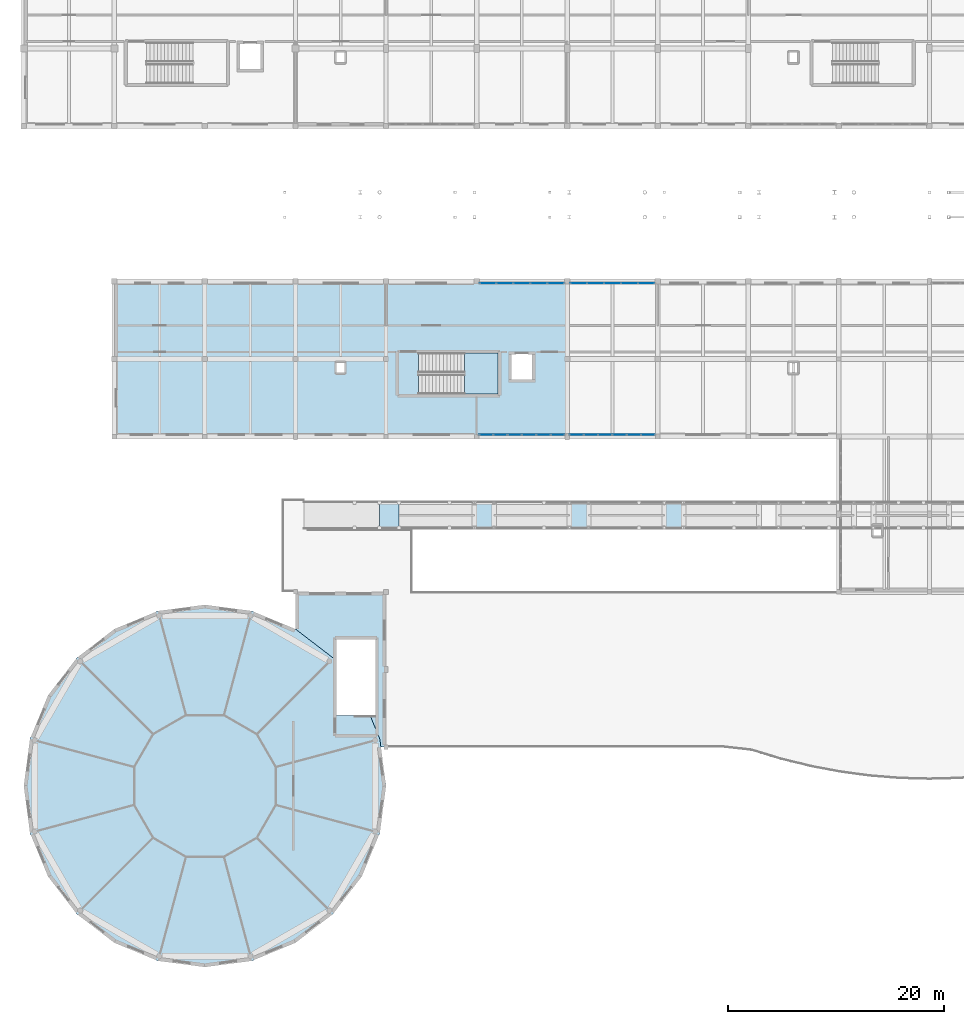
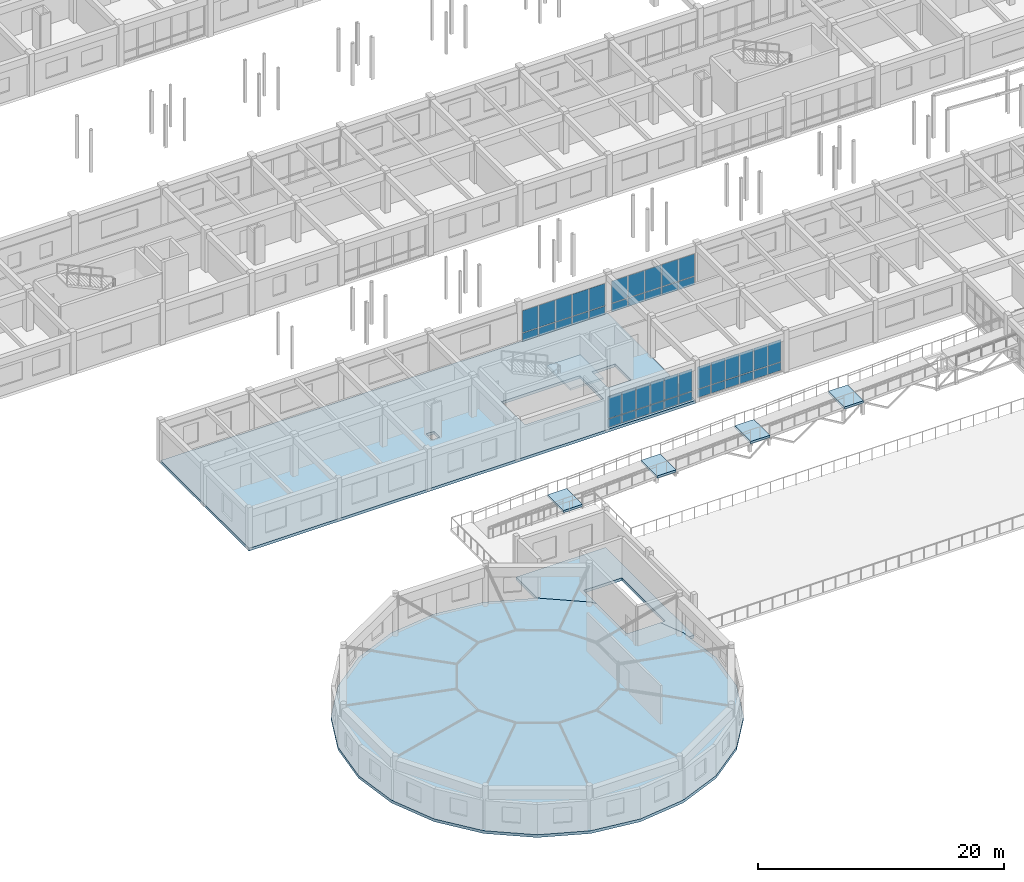
# One storey, part 56 of 90: 44 plates, 8 slabs, 6 elements without a shape of their own.
"""IFC4 building model written with IfcOpenShell, lengths in metres."""

import ifcopenshell
import ifcopenshell.guid

model = None  # the IFC model being written
_history = None  # IfcOwnerHistory: only IFC2X3 demands one
_inside = {}  # id of a spatial element -> (the spatial element, [elements in it])
_under = {}  # id of a project, library or spatial element -> (it, [spatial elements below it])
_declared = {}  # id of a project -> (the project, [libraries it declares])
_typed = {}  # id of a type object -> (the type object, [elements of that type])
_made_of = {}  # id of a material, layer set ... -> (it, [elements and type objects made of it])


def new_model(schema):
    """Start an empty IFC model of exactly this schema.

    Asked for "IFC4X3", IfcOpenShell would pick the latest addendum, in which some entities
    have other attributes; the version numbers below select the first issue.
    IFC2X3 requires an IfcOwnerHistory on every rooted entity: one is made here for all.
    """
    global model, _history
    if schema == "IFC4X3":
        model = ifcopenshell.file(schema_version=(4, 3, 0, 0))
    else:
        model = ifcopenshell.file(schema=schema)
    _inside.clear()
    _under.clear()
    _declared.clear()
    _typed.clear()
    _made_of.clear()
    _history = None
    if model.schema == "IFC2X3":
        org = make("IfcOrganization", Name="unknown")
        user = make(
            "IfcPersonAndOrganization",
            ThePerson=make("IfcPerson", FamilyName="unknown"),
            TheOrganization=org,
        )
        app = make(
            "IfcApplication",
            ApplicationDeveloper=org,
            Version="unknown",
            ApplicationFullName="unknown",
            ApplicationIdentifier="unknown",
        )
        _history = make(
            "IfcOwnerHistory",
            OwningUser=user,
            OwningApplication=app,
            ChangeAction="ADDED",
            CreationDate=0,
        )
    return model


def make(cls, **values):
    """One entity of the class cls with the attributes given. An attribute that is None is left unset."""
    return model.create_entity(
        cls, **{name: value for name, value in values.items() if value is not None}
    )


def rooted(cls, **values):
    """An entity with a GlobalId (a new one), such as an element, a storey or a relation."""
    return make(cls, GlobalId=ifcopenshell.guid.new(), OwnerHistory=_history, **values)


def si_unit(unit_type, name, prefix=None):
    """IfcSIUnit, for example si_unit("LENGTHUNIT", "METRE", prefix="MILLI")."""
    return make("IfcSIUnit", UnitType=unit_type, Prefix=prefix, Name=name)


def assignment(units):
    """IfcUnitAssignment: the units of a project."""
    return None if units is None else make("IfcUnitAssignment", Units=units)


def point(xyz):
    """IfcCartesianPoint."""
    return None if xyz is None else make("IfcCartesianPoint", Coordinates=xyz)


def direction(xyz):
    """IfcDirection."""
    return None if xyz is None else make("IfcDirection", DirectionRatios=xyz)


def frame(location, z_axis=None, x_axis=None):
    """IfcAxis2Placement3D, a coordinate frame: its origin and axes. An axis left out is left unset."""
    return make(
        "IfcAxis2Placement3D",
        Location=point(location),
        Axis=direction(z_axis),
        RefDirection=direction(x_axis),
    )


def frame_2d(location, x_axis=None):
    """IfcAxis2Placement2D, a coordinate frame in the plane: its origin and x axis."""
    return make(
        "IfcAxis2Placement2D", Location=point(location), RefDirection=direction(x_axis)
    )


def origin():
    """The frame at (0, 0, 0) with its axes left unset."""
    return frame((0.0, 0.0, 0.0))


def origin_2d():
    """The frame at (0, 0) in the plane with its x axis left unset."""
    return frame_2d((0.0, 0.0))


def place(relative_to, where):
    """IfcLocalPlacement: puts the frame where relative to a parent placement (None: the world)."""
    return make(
        "IfcLocalPlacement", PlacementRelTo=relative_to, RelativePlacement=where
    )


def context(
    kind, dimensions, precision=None, world=None, true_north=None, identifier=None
):
    """IfcGeometricRepresentationContext, for example the 3D "Model" context."""
    return make(
        "IfcGeometricRepresentationContext",
        ContextIdentifier=identifier,
        ContextType=kind,
        CoordinateSpaceDimension=dimensions,
        Precision=precision,
        WorldCoordinateSystem=world,
        TrueNorth=true_north,
    )


def subcontext(parent, identifier, kind, view, scale=None):
    """IfcGeometricRepresentationSubContext, for example "Body" below "Model"."""
    return make(
        "IfcGeometricRepresentationSubContext",
        ContextIdentifier=identifier,
        ContextType=kind,
        ParentContext=parent,
        TargetScale=scale,
        TargetView=view,
    )


def project(units=None, contexts=None):
    """IfcProject with its units and contexts."""
    return rooted(
        "IfcProject",
        Name="project",
        RepresentationContexts=contexts,
        UnitsInContext=assignment(units),
    )


def spatial(cls, under=None, at=None, **own):
    """A site, building, storey or space (cls), placed at a placement, below another one or the project."""
    s = rooted(cls, ObjectPlacement=at, **own)
    if under is not None:
        _under.setdefault(under.id(), (under, []))[1].append(s)
    return s


def polyline(points):
    """IfcPolyline through the points."""
    return make("IfcPolyline", Points=[point(p) for p in points])


def profile(cls, at=None, kind="AREA", **sizes):
    """A parametric profile (cls). Its sizes go by their IFC names, for example OverallWidth=200.0."""
    return make(cls, ProfileType=kind, Position=at, **sizes)


def rectangle(**sizes):
    """IfcRectangleProfileDef."""
    return profile("IfcRectangleProfileDef", **sizes)


def outline(outer, holes=None, kind="AREA"):
    """IfcArbitraryClosedProfileDef: a profile drawn as a closed curve; with holes, ...WithVoids."""
    if holes is None:
        return make("IfcArbitraryClosedProfileDef", ProfileType=kind, OuterCurve=outer)
    return make(
        "IfcArbitraryProfileDefWithVoids",
        ProfileType=kind,
        OuterCurve=outer,
        InnerCurves=holes,
    )


def extrude(swept, where, along, depth):
    """IfcExtrudedAreaSolid: the profile swept, set in the frame where, extruded along a direction by depth."""
    return make(
        "IfcExtrudedAreaSolid",
        SweptArea=swept,
        Position=where,
        ExtrudedDirection=direction(along),
        Depth=depth,
    )


def shape(context_of_items, identifier, shape_type, items):
    """IfcShapeRepresentation: the items that make up one representation, for example the "Body"."""
    return make(
        "IfcShapeRepresentation",
        ContextOfItems=context_of_items,
        RepresentationIdentifier=identifier,
        RepresentationType=shape_type,
        Items=items,
    )


def material(Name=None, Category=None):
    """IfcMaterial."""
    return make("IfcMaterial", Name=Name, Category=Category)


def layer(
    of_material, thickness, ventilated=None, Name=None, Category=None, Priority=None
):
    """IfcMaterialLayer: one layer of a wall or slab, of a material (None: an air gap)."""
    return make(
        "IfcMaterialLayer",
        Material=of_material,
        LayerThickness=thickness,
        IsVentilated=ventilated,
        Name=Name,
        Category=Category,
        Priority=Priority,
    )


def layer_set(layers, Name=None):
    """IfcMaterialLayerSet."""
    return make("IfcMaterialLayerSet", MaterialLayers=layers, LayerSetName=Name)


def made_of(thing, what):
    """Note that an element or type object is made of a material, layer set ...; save() writes the relation."""
    if what is not None:
        _made_of.setdefault(what.id(), (what, []))[1].append(thing)
    return thing


def type_object(cls, material=None, **own):
    """A type object (cls), such as IfcWallType, which elements share."""
    return made_of(rooted(cls, **own), material)


def element(
    cls,
    number,
    at=None,
    inside=None,
    cuts=None,
    type_object=None,
    material=None,
    context=None,
    identifier="Body",
    shape_type=None,
    held_by="IfcProductDefinitionShape",
    body=None,
    shapes=None,
    **own,
):
    """One element of the class cls, such as IfcWall. Its Tag is "e" and its number.

    at: its placement. inside: the storey or other place that contains it. cuts: it is an
    opening in that element (IfcRelVoidsElement). A single representation is given by context,
    identifier, shape_type and body (its items); several are given by shapes. held_by: the class
    of the entity that holds the representations. save() writes the other relations.
    """
    e = rooted(cls, Tag="e%d" % number, ObjectPlacement=at, **own)
    if body is not None:
        shapes = [shape(context, identifier, shape_type, body)]
    if shapes is not None:
        e.Representation = make(held_by, Representations=shapes)
    if inside is not None:
        _inside.setdefault(inside.id(), (inside, []))[1].append(e)
    if cuts is not None:
        rooted(
            "IfcRelVoidsElement", RelatingBuildingElement=cuts, RelatedOpeningElement=e
        )
    if type_object is not None:
        _typed.setdefault(type_object.id(), (type_object, []))[1].append(e)
    return made_of(e, material)


def aggregate(whole, parts):
    """IfcRelAggregates: a whole, such as a stair, and the parts it consists of."""
    return rooted("IfcRelAggregates", RelatingObject=whole, RelatedObjects=parts)


def save(model, path):
    """Write the relations noted so far, then the file.

    IfcRelAggregates (storeys below a building ...), IfcRelContainedInSpatialStructure (elements
    in a storey), IfcRelDefinesByType, IfcRelAssociatesMaterial and IfcRelDeclares: one each for
    every whole, place, type object, material and project.
    """
    for whole, parts in _under.values():
        aggregate(whole, parts)
    for where, things in _inside.values():
        rooted(
            "IfcRelContainedInSpatialStructure",
            RelatedElements=things,
            RelatingStructure=where,
        )
    for kind, things in _typed.values():
        rooted("IfcRelDefinesByType", RelatedObjects=things, RelatingType=kind)
    for what, things in _made_of.values():
        rooted("IfcRelAssociatesMaterial", RelatedObjects=things, RelatingMaterial=what)
    for by, libraries in _declared.values():
        rooted("IfcRelDeclares", RelatingContext=by, RelatedDefinitions=libraries)
    model.write(path)


model = new_model("IFC4")

# Units and contexts
model_context = context("Model", 3, precision=1e-05, world=origin(), true_north=direction((0.0, 1.0)))
body_context = subcontext(model_context, "Body", "Model", "MODEL_VIEW")
ifc_project = project(units=[si_unit("LENGTHUNIT", "METRE"), si_unit("AREAUNIT", "SQUARE_METRE"), si_unit("VOLUMEUNIT", "CUBIC_METRE"), si_unit("PLANEANGLEUNIT", "RADIAN"), si_unit("MASSUNIT", "GRAM", prefix="KILO")], contexts=[model_context])

# Site, building, storey
site_placement = place(None, origin())
site = spatial("IfcSite", under=ifc_project, at=site_placement, CompositionType="ELEMENT")
building_placement = place(site_placement, origin())
building = spatial("IfcBuilding", under=site, at=building_placement, Name="Malvenik Polytechnic", CompositionType="ELEMENT")
storey_placement = place(building_placement, frame((0.0, 0.0, 9.300048828125)))
storey = spatial("IfcBuildingStorey", under=building, at=storey_placement, Name="L02", CompositionType="ELEMENT", Elevation=9.300048828125)

# Curtain wall, plates
ifc_material_1 = material(Name="Anodised aluminium 6060-T6", Category="aluminium")
curtain_wall_type = type_object("IfcCurtainWallType", Name="ARC-CW-CW-03", PredefinedType="NOTDEFINED", material=ifc_material_1)
curtain_wall_1_placement = place(storey_placement, origin())
curtain_wall_1 = element("IfcCurtainWall", 1, at=curtain_wall_1_placement, inside=storey, type_object=curtain_wall_type, Name="Unitised Curtain Wall CW-03 L02 #137", PredefinedType="NOTDEFINED")
ifc_material_2 = material(Name="Triple solar-control glazing 8-14-6-14-8", Category="glass")
ifc_layer_1 = layer(ifc_material_2, 0.035888671875)
ifc_layer_set_1 = layer_set([ifc_layer_1], Name="Triple solar-control glazing 8-14-6-14-8")
plate_type_1 = type_object("IfcPlateType", Name="ARC-CWP-CP-GLZ36", PredefinedType="CURTAIN_PANEL", material=ifc_layer_set_1)
plate_1_placement = place(storey_placement, frame((57.89697265625, 50.570068359375, 0.929931640625), z_axis=(0.0, 0.0, 1.0), x_axis=(-1.0, 0.0, 0.0)))
plate_1 = element("IfcPlate", 2, at=plate_1_placement, type_object=plate_type_1, Name="CW-03 panel 1.2", PredefinedType="CURTAIN_PANEL", context=body_context, shape_type="SweptSolid", body=[
    extrude(rectangle(XDim=1.23974609375, YDim=0.028076171875, at=origin_2d()), origin(), (0.0, 0.0, 1.0), 2.18994140625),
])
plate_2_placement = place(storey_placement, frame((56.582275390625, 50.570068359375, 0.929931640625), z_axis=(0.0, 0.0, 1.0), x_axis=(-1.0, 0.0, 0.0)))
plate_2 = element("IfcPlate", 3, at=plate_2_placement, type_object=plate_type_1, Name="CW-03 panel 2.2", PredefinedType="CURTAIN_PANEL", context=body_context, shape_type="SweptSolid", body=[
    extrude(rectangle(XDim=1.269775390625, YDim=0.028076171875, at=origin_2d()), origin(), (0.0, 0.0, 1.0), 2.18994140625),
])
plate_3_placement = place(storey_placement, frame((55.25244140625, 50.570068359375, 0.929931640625), z_axis=(0.0, 0.0, 1.0), x_axis=(-1.0, 0.0, 0.0)))
plate_3 = element("IfcPlate", 4, at=plate_3_placement, type_object=plate_type_1, Name="CW-03 panel 3.2", PredefinedType="CURTAIN_PANEL", context=body_context, shape_type="SweptSolid", body=[
    extrude(rectangle(XDim=1.269775390625, YDim=0.028076171875, at=origin_2d()), origin(), (0.0, 0.0, 1.0), 2.18994140625),
])
plate_4_placement = place(storey_placement, frame((53.922607421875, 50.570068359375, 0.929931640625), z_axis=(0.0, 0.0, 1.0), x_axis=(-1.0, 0.0, 0.0)))
plate_4 = element("IfcPlate", 5, at=plate_4_placement, type_object=plate_type_1, Name="CW-03 panel 4.2", PredefinedType="CURTAIN_PANEL", context=body_context, shape_type="SweptSolid", body=[
    extrude(rectangle(XDim=1.269775390625, YDim=0.028076171875, at=origin_2d()), origin(), (0.0, 0.0, 1.0), 2.18994140625),
])
plate_5_placement = place(storey_placement, frame((52.5927734375, 50.570068359375, 0.929931640625), z_axis=(0.0, 0.0, 1.0), x_axis=(-1.0, 0.0, 0.0)))
plate_5 = element("IfcPlate", 6, at=plate_5_placement, type_object=plate_type_1, Name="CW-03 panel 5.2", PredefinedType="CURTAIN_PANEL", context=body_context, shape_type="SweptSolid", body=[
    extrude(rectangle(XDim=1.269775390625, YDim=0.028076171875, at=origin_2d()), origin(), (0.0, 0.0, 1.0), 2.18994140625),
])
plate_6_placement = place(storey_placement, frame((51.27783203125, 50.570068359375, 0.929931640625), z_axis=(0.0, 0.0, 1.0), x_axis=(-1.0, 0.0, 0.0)))
plate_6 = element("IfcPlate", 7, at=plate_6_placement, type_object=plate_type_1, Name="CW-03 panel 6.2", PredefinedType="CURTAIN_PANEL", context=body_context, shape_type="SweptSolid", body=[
    extrude(rectangle(XDim=1.23974609375, YDim=0.028076171875, at=origin_2d()), origin(), (0.0, 0.0, 1.0), 2.18994140625),
])

curtain_wall_2_placement = place(storey_placement, origin())
curtain_wall_2 = element("IfcCurtainWall", 8, at=curtain_wall_2_placement, inside=storey, type_object=curtain_wall_type, Name="Unitised Curtain Wall CW-03 L02 #138", PredefinedType="NOTDEFINED")
plate_7_placement = place(storey_placement, frame((49.52001953125, 50.570068359375, 0.929931640625), z_axis=(0.0, 0.0, 1.0), x_axis=(-1.0, 0.0, 0.0)))
plate_7 = element("IfcPlate", 9, at=plate_7_placement, type_object=plate_type_1, Name="CW-03 panel 1.2", PredefinedType="CURTAIN_PANEL", context=body_context, shape_type="SweptSolid", body=[
    extrude(rectangle(XDim=1.243896484375, YDim=0.028076171875, at=origin_2d()), origin(), (0.0, 0.0, 1.0), 2.18994140625),
])
plate_8_placement = place(storey_placement, frame((48.200927734375, 50.570068359375, 0.929931640625), z_axis=(0.0, 0.0, 1.0), x_axis=(-1.0, 0.0, 0.0)))
plate_8 = element("IfcPlate", 10, at=plate_8_placement, type_object=plate_type_1, Name="CW-03 panel 2.2", PredefinedType="CURTAIN_PANEL", context=body_context, shape_type="SweptSolid", body=[
    extrude(rectangle(XDim=1.27392578125, YDim=0.028076171875, at=origin_2d()), origin(), (0.0, 0.0, 1.0), 2.18994140625),
])
plate_9_placement = place(storey_placement, frame((46.866943359375, 50.570068359375, 0.929931640625), z_axis=(0.0, 0.0, 1.0), x_axis=(-1.0, 0.0, 0.0)))
plate_9 = element("IfcPlate", 11, at=plate_9_placement, type_object=plate_type_1, Name="CW-03 panel 3.2", PredefinedType="CURTAIN_PANEL", context=body_context, shape_type="SweptSolid", body=[
    extrude(rectangle(XDim=1.27392578125, YDim=0.028076171875, at=origin_2d()), origin(), (0.0, 0.0, 1.0), 2.18994140625),
])
plate_10_placement = place(storey_placement, frame((45.532958984375, 50.570068359375, 0.929931640625), z_axis=(0.0, 0.0, 1.0), x_axis=(-1.0, 0.0, 0.0)))
plate_10 = element("IfcPlate", 12, at=plate_10_placement, type_object=plate_type_1, Name="CW-03 panel 4.2", PredefinedType="CURTAIN_PANEL", context=body_context, shape_type="SweptSolid", body=[
    extrude(rectangle(XDim=1.27392578125, YDim=0.028076171875, at=origin_2d()), origin(), (0.0, 0.0, 1.0), 2.18994140625),
])
plate_11_placement = place(storey_placement, frame((44.198974609375, 50.570068359375, 0.929931640625), z_axis=(0.0, 0.0, 1.0), x_axis=(-1.0, 0.0, 0.0)))
plate_11 = element("IfcPlate", 13, at=plate_11_placement, type_object=plate_type_1, Name="CW-03 panel 5.2", PredefinedType="CURTAIN_PANEL", context=body_context, shape_type="SweptSolid", body=[
    extrude(rectangle(XDim=1.27392578125, YDim=0.028076171875, at=origin_2d()), origin(), (0.0, 0.0, 1.0), 2.18994140625),
])
plate_12_placement = place(storey_placement, frame((42.8798828125, 50.570068359375, 0.929931640625), z_axis=(0.0, 0.0, 1.0), x_axis=(-1.0, 0.0, 0.0)))
plate_12 = element("IfcPlate", 14, at=plate_12_placement, type_object=plate_type_1, Name="CW-03 panel 6.2", PredefinedType="CURTAIN_PANEL", context=body_context, shape_type="SweptSolid", body=[
    extrude(rectangle(XDim=1.243896484375, YDim=0.028076171875, at=origin_2d()), origin(), (0.0, 0.0, 1.0), 2.18994140625),
])

curtain_wall_3_placement = place(storey_placement, origin())
curtain_wall_3 = element("IfcCurtainWall", 15, at=curtain_wall_3_placement, inside=storey, type_object=curtain_wall_type, Name="Unitised Curtain Wall CW-03 L02 #139", PredefinedType="NOTDEFINED")
plate_13_placement = place(storey_placement, frame((43.053466796875, 64.6298828125, 0.929931640625), z_axis=(0.0, 0.0, 1.0), x_axis=(1.0, 0.0, 0.0)))
plate_13 = element("IfcPlate", 16, at=plate_13_placement, type_object=plate_type_1, Name="CW-03 panel 1.2", PredefinedType="CURTAIN_PANEL", context=body_context, shape_type="SweptSolid", body=[
    extrude(rectangle(XDim=1.49072265625, YDim=0.028076171875, at=origin_2d()), origin(), (0.0, 0.0, 1.0), 2.18994140625),
])
plate_14_placement = place(storey_placement, frame((44.619140625, 64.6298828125, 0.929931640625), z_axis=(0.0, 0.0, 1.0), x_axis=(1.0, 0.0, 0.0)))
plate_14 = element("IfcPlate", 17, at=plate_14_placement, type_object=plate_type_1, Name="CW-03 panel 2.2", PredefinedType="CURTAIN_PANEL", context=body_context, shape_type="SweptSolid", body=[
    extrude(rectangle(XDim=1.520751953125, YDim=0.028076171875, at=origin_2d()), origin(), (0.0, 0.0, 1.0), 2.18994140625),
])
plate_15_placement = place(storey_placement, frame((46.199951171875, 64.6298828125, 0.929931640625), z_axis=(0.0, 0.0, 1.0), x_axis=(1.0, 0.0, 0.0)))
plate_15 = element("IfcPlate", 18, at=plate_15_placement, type_object=plate_type_1, Name="CW-03 panel 3.2", PredefinedType="CURTAIN_PANEL", context=body_context, shape_type="SweptSolid", body=[
    extrude(rectangle(XDim=1.520751953125, YDim=0.028076171875, at=origin_2d()), origin(), (0.0, 0.0, 1.0), 2.18994140625),
])
plate_16_placement = place(storey_placement, frame((47.78076171875, 64.6298828125, 0.929931640625), z_axis=(0.0, 0.0, 1.0), x_axis=(1.0, 0.0, 0.0)))
plate_16 = element("IfcPlate", 19, at=plate_16_placement, type_object=plate_type_1, Name="CW-03 panel 4.2", PredefinedType="CURTAIN_PANEL", context=body_context, shape_type="SweptSolid", body=[
    extrude(rectangle(XDim=1.520751953125, YDim=0.028076171875, at=origin_2d()), origin(), (0.0, 0.0, 1.0), 2.18994140625),
])
plate_17_placement = place(storey_placement, frame((49.3466796875, 64.6298828125, 0.929931640625), z_axis=(0.0, 0.0, 1.0), x_axis=(1.0, 0.0, 0.0)))
plate_17 = element("IfcPlate", 20, at=plate_17_placement, type_object=plate_type_1, Name="CW-03 panel 5.2", PredefinedType="CURTAIN_PANEL", context=body_context, shape_type="SweptSolid", body=[
    extrude(rectangle(XDim=1.49072265625, YDim=0.028076171875, at=origin_2d()), origin(), (0.0, 0.0, 1.0), 2.18994140625),
])

curtain_wall_4_placement = place(storey_placement, origin())
curtain_wall_4 = element("IfcCurtainWall", 21, at=curtain_wall_4_placement, inside=storey, type_object=curtain_wall_type, Name="Unitised Curtain Wall CW-03 L02 #140", PredefinedType="NOTDEFINED")
plate_18_placement = place(storey_placement, frame((51.453369140625, 64.6298828125, 0.929931640625), z_axis=(0.0, 0.0, 1.0), x_axis=(1.0, 0.0, 0.0)))
plate_18 = element("IfcPlate", 22, at=plate_18_placement, type_object=plate_type_1, Name="CW-03 panel 1.2", PredefinedType="CURTAIN_PANEL", context=body_context, shape_type="SweptSolid", body=[
    extrude(rectangle(XDim=1.49072265625, YDim=0.028076171875, at=origin_2d()), origin(), (0.0, 0.0, 1.0), 2.18994140625),
])
plate_19_placement = place(storey_placement, frame((53.019287109375, 64.6298828125, 0.929931640625), z_axis=(0.0, 0.0, 1.0), x_axis=(1.0, 0.0, 0.0)))
plate_19 = element("IfcPlate", 23, at=plate_19_placement, type_object=plate_type_1, Name="CW-03 panel 2.2", PredefinedType="CURTAIN_PANEL", context=body_context, shape_type="SweptSolid", body=[
    extrude(rectangle(XDim=1.520751953125, YDim=0.028076171875, at=origin_2d()), origin(), (0.0, 0.0, 1.0), 2.18994140625),
])
plate_20_placement = place(storey_placement, frame((54.60009765625, 64.6298828125, 0.929931640625), z_axis=(0.0, 0.0, 1.0), x_axis=(1.0, 0.0, 0.0)))
plate_20 = element("IfcPlate", 24, at=plate_20_placement, type_object=plate_type_1, Name="CW-03 panel 3.2", PredefinedType="CURTAIN_PANEL", context=body_context, shape_type="SweptSolid", body=[
    extrude(rectangle(XDim=1.520751953125, YDim=0.028076171875, at=origin_2d()), origin(), (0.0, 0.0, 1.0), 2.18994140625),
])
plate_21_placement = place(storey_placement, frame((56.180908203125, 64.6298828125, 0.929931640625), z_axis=(0.0, 0.0, 1.0), x_axis=(1.0, 0.0, 0.0)))
plate_21 = element("IfcPlate", 25, at=plate_21_placement, type_object=plate_type_1, Name="CW-03 panel 4.2", PredefinedType="CURTAIN_PANEL", context=body_context, shape_type="SweptSolid", body=[
    extrude(rectangle(XDim=1.520751953125, YDim=0.028076171875, at=origin_2d()), origin(), (0.0, 0.0, 1.0), 2.18994140625),
])
plate_22_placement = place(storey_placement, frame((57.74658203125, 64.6298828125, 0.929931640625), z_axis=(0.0, 0.0, 1.0), x_axis=(1.0, 0.0, 0.0)))
plate_22 = element("IfcPlate", 26, at=plate_22_placement, type_object=plate_type_1, Name="CW-03 panel 5.2", PredefinedType="CURTAIN_PANEL", context=body_context, shape_type="SweptSolid", body=[
    extrude(rectangle(XDim=1.49072265625, YDim=0.028076171875, at=origin_2d()), origin(), (0.0, 0.0, 1.0), 2.18994140625),
])

# Plate
ifc_material_3 = material(Name="Insulated aluminium spandrel cassette 42mm", Category="aluminium")
ifc_layer_2 = layer(ifc_material_3, 0.0419921875)
ifc_layer_set_2 = layer_set([ifc_layer_2], Name="Insulated aluminium spandrel cassette 42mm")
plate_type_2 = type_object("IfcPlateType", Name="ARC-CWP-CP-SPN42", PredefinedType="CURTAIN_PANEL", material=ifc_layer_set_2)
plate_23_placement = place(storey_placement, frame((57.89697265625, 50.570068359375, 0.059814453125), z_axis=(0.0, 0.0, 1.0), x_axis=(-1.0, 0.0, 0.0)))
plate_23 = element("IfcPlate", 27, at=plate_23_placement, type_object=plate_type_2, Name="CW-03 panel 1.1", PredefinedType="CURTAIN_PANEL", context=body_context, shape_type="SweptSolid", body=[
    extrude(rectangle(XDim=1.23974609375, YDim=0.028076171875, at=origin_2d()), origin(), (0.0, 0.0, 1.0), 0.81005859375),
])

plate_24_placement = place(storey_placement, frame((56.582275390625, 50.570068359375, 0.059814453125), z_axis=(0.0, 0.0, 1.0), x_axis=(-1.0, 0.0, 0.0)))
plate_24 = element("IfcPlate", 28, at=plate_24_placement, type_object=plate_type_2, Name="CW-03 panel 2.1", PredefinedType="CURTAIN_PANEL", context=body_context, shape_type="SweptSolid", body=[
    extrude(rectangle(XDim=1.269775390625, YDim=0.028076171875, at=origin_2d()), origin(), (0.0, 0.0, 1.0), 0.81005859375),
])

plate_25_placement = place(storey_placement, frame((55.25244140625, 50.570068359375, 0.059814453125), z_axis=(0.0, 0.0, 1.0), x_axis=(-1.0, 0.0, 0.0)))
plate_25 = element("IfcPlate", 29, at=plate_25_placement, type_object=plate_type_2, Name="CW-03 panel 3.1", PredefinedType="CURTAIN_PANEL", context=body_context, shape_type="SweptSolid", body=[
    extrude(rectangle(XDim=1.269775390625, YDim=0.028076171875, at=origin_2d()), origin(), (0.0, 0.0, 1.0), 0.81005859375),
])

plate_26_placement = place(storey_placement, frame((53.922607421875, 50.570068359375, 0.059814453125), z_axis=(0.0, 0.0, 1.0), x_axis=(-1.0, 0.0, 0.0)))
plate_26 = element("IfcPlate", 30, at=plate_26_placement, type_object=plate_type_2, Name="CW-03 panel 4.1", PredefinedType="CURTAIN_PANEL", context=body_context, shape_type="SweptSolid", body=[
    extrude(rectangle(XDim=1.269775390625, YDim=0.028076171875, at=origin_2d()), origin(), (0.0, 0.0, 1.0), 0.81005859375),
])

plate_27_placement = place(storey_placement, frame((52.5927734375, 50.570068359375, 0.059814453125), z_axis=(0.0, 0.0, 1.0), x_axis=(-1.0, 0.0, 0.0)))
plate_27 = element("IfcPlate", 31, at=plate_27_placement, type_object=plate_type_2, Name="CW-03 panel 5.1", PredefinedType="CURTAIN_PANEL", context=body_context, shape_type="SweptSolid", body=[
    extrude(rectangle(XDim=1.269775390625, YDim=0.028076171875, at=origin_2d()), origin(), (0.0, 0.0, 1.0), 0.81005859375),
])

plate_28_placement = place(storey_placement, frame((51.27783203125, 50.570068359375, 0.059814453125), z_axis=(0.0, 0.0, 1.0), x_axis=(-1.0, 0.0, 0.0)))
plate_28 = element("IfcPlate", 32, at=plate_28_placement, type_object=plate_type_2, Name="CW-03 panel 6.1", PredefinedType="CURTAIN_PANEL", context=body_context, shape_type="SweptSolid", body=[
    extrude(rectangle(XDim=1.23974609375, YDim=0.028076171875, at=origin_2d()), origin(), (0.0, 0.0, 1.0), 0.81005859375),
])

aggregate(curtain_wall_1, [plate_23, plate_1, plate_24, plate_2, plate_25, plate_3, plate_26, plate_4, plate_27, plate_5, plate_28, plate_6])

plate_29_placement = place(storey_placement, frame((49.52001953125, 50.570068359375, 0.059814453125), z_axis=(0.0, 0.0, 1.0), x_axis=(-1.0, 0.0, 0.0)))
plate_29 = element("IfcPlate", 33, at=plate_29_placement, type_object=plate_type_2, Name="CW-03 panel 1.1", PredefinedType="CURTAIN_PANEL", context=body_context, shape_type="SweptSolid", body=[
    extrude(rectangle(XDim=1.243896484375, YDim=0.028076171875, at=origin_2d()), origin(), (0.0, 0.0, 1.0), 0.81005859375),
])

plate_30_placement = place(storey_placement, frame((48.200927734375, 50.570068359375, 0.059814453125), z_axis=(0.0, 0.0, 1.0), x_axis=(-1.0, 0.0, 0.0)))
plate_30 = element("IfcPlate", 34, at=plate_30_placement, type_object=plate_type_2, Name="CW-03 panel 2.1", PredefinedType="CURTAIN_PANEL", context=body_context, shape_type="SweptSolid", body=[
    extrude(rectangle(XDim=1.27392578125, YDim=0.028076171875, at=origin_2d()), origin(), (0.0, 0.0, 1.0), 0.81005859375),
])

plate_31_placement = place(storey_placement, frame((46.866943359375, 50.570068359375, 0.059814453125), z_axis=(0.0, 0.0, 1.0), x_axis=(-1.0, 0.0, 0.0)))
plate_31 = element("IfcPlate", 35, at=plate_31_placement, type_object=plate_type_2, Name="CW-03 panel 3.1", PredefinedType="CURTAIN_PANEL", context=body_context, shape_type="SweptSolid", body=[
    extrude(rectangle(XDim=1.27392578125, YDim=0.028076171875, at=origin_2d()), origin(), (0.0, 0.0, 1.0), 0.81005859375),
])

plate_32_placement = place(storey_placement, frame((45.532958984375, 50.570068359375, 0.059814453125), z_axis=(0.0, 0.0, 1.0), x_axis=(-1.0, 0.0, 0.0)))
plate_32 = element("IfcPlate", 36, at=plate_32_placement, type_object=plate_type_2, Name="CW-03 panel 4.1", PredefinedType="CURTAIN_PANEL", context=body_context, shape_type="SweptSolid", body=[
    extrude(rectangle(XDim=1.27392578125, YDim=0.028076171875, at=origin_2d()), origin(), (0.0, 0.0, 1.0), 0.81005859375),
])

plate_33_placement = place(storey_placement, frame((44.198974609375, 50.570068359375, 0.059814453125), z_axis=(0.0, 0.0, 1.0), x_axis=(-1.0, 0.0, 0.0)))
plate_33 = element("IfcPlate", 37, at=plate_33_placement, type_object=plate_type_2, Name="CW-03 panel 5.1", PredefinedType="CURTAIN_PANEL", context=body_context, shape_type="SweptSolid", body=[
    extrude(rectangle(XDim=1.27392578125, YDim=0.028076171875, at=origin_2d()), origin(), (0.0, 0.0, 1.0), 0.81005859375),
])

plate_34_placement = place(storey_placement, frame((42.8798828125, 50.570068359375, 0.059814453125), z_axis=(0.0, 0.0, 1.0), x_axis=(-1.0, 0.0, 0.0)))
plate_34 = element("IfcPlate", 38, at=plate_34_placement, type_object=plate_type_2, Name="CW-03 panel 6.1", PredefinedType="CURTAIN_PANEL", context=body_context, shape_type="SweptSolid", body=[
    extrude(rectangle(XDim=1.243896484375, YDim=0.028076171875, at=origin_2d()), origin(), (0.0, 0.0, 1.0), 0.81005859375),
])

aggregate(curtain_wall_2, [plate_29, plate_7, plate_30, plate_8, plate_31, plate_9, plate_32, plate_10, plate_33, plate_11, plate_34, plate_12])

plate_35_placement = place(storey_placement, frame((43.053466796875, 64.6298828125, 0.059814453125), z_axis=(0.0, 0.0, 1.0), x_axis=(1.0, 0.0, 0.0)))
plate_35 = element("IfcPlate", 39, at=plate_35_placement, type_object=plate_type_2, Name="CW-03 panel 1.1", PredefinedType="CURTAIN_PANEL", context=body_context, shape_type="SweptSolid", body=[
    extrude(rectangle(XDim=1.49072265625, YDim=0.028076171875, at=origin_2d()), origin(), (0.0, 0.0, 1.0), 0.81005859375),
])

plate_36_placement = place(storey_placement, frame((44.619140625, 64.6298828125, 0.059814453125), z_axis=(0.0, 0.0, 1.0), x_axis=(1.0, 0.0, 0.0)))
plate_36 = element("IfcPlate", 40, at=plate_36_placement, type_object=plate_type_2, Name="CW-03 panel 2.1", PredefinedType="CURTAIN_PANEL", context=body_context, shape_type="SweptSolid", body=[
    extrude(rectangle(XDim=1.520751953125, YDim=0.028076171875, at=origin_2d()), origin(), (0.0, 0.0, 1.0), 0.81005859375),
])

plate_37_placement = place(storey_placement, frame((46.199951171875, 64.6298828125, 0.059814453125), z_axis=(0.0, 0.0, 1.0), x_axis=(1.0, 0.0, 0.0)))
plate_37 = element("IfcPlate", 41, at=plate_37_placement, type_object=plate_type_2, Name="CW-03 panel 3.1", PredefinedType="CURTAIN_PANEL", context=body_context, shape_type="SweptSolid", body=[
    extrude(rectangle(XDim=1.520751953125, YDim=0.028076171875, at=origin_2d()), origin(), (0.0, 0.0, 1.0), 0.81005859375),
])

plate_38_placement = place(storey_placement, frame((47.78076171875, 64.6298828125, 0.059814453125), z_axis=(0.0, 0.0, 1.0), x_axis=(1.0, 0.0, 0.0)))
plate_38 = element("IfcPlate", 42, at=plate_38_placement, type_object=plate_type_2, Name="CW-03 panel 4.1", PredefinedType="CURTAIN_PANEL", context=body_context, shape_type="SweptSolid", body=[
    extrude(rectangle(XDim=1.520751953125, YDim=0.028076171875, at=origin_2d()), origin(), (0.0, 0.0, 1.0), 0.81005859375),
])

plate_39_placement = place(storey_placement, frame((49.3466796875, 64.6298828125, 0.059814453125), z_axis=(0.0, 0.0, 1.0), x_axis=(1.0, 0.0, 0.0)))
plate_39 = element("IfcPlate", 43, at=plate_39_placement, type_object=plate_type_2, Name="CW-03 panel 5.1", PredefinedType="CURTAIN_PANEL", context=body_context, shape_type="SweptSolid", body=[
    extrude(rectangle(XDim=1.49072265625, YDim=0.028076171875, at=origin_2d()), origin(), (0.0, 0.0, 1.0), 0.81005859375),
])

aggregate(curtain_wall_3, [plate_35, plate_13, plate_36, plate_14, plate_37, plate_15, plate_38, plate_16, plate_39, plate_17])

plate_40_placement = place(storey_placement, frame((51.453369140625, 64.6298828125, 0.059814453125), z_axis=(0.0, 0.0, 1.0), x_axis=(1.0, 0.0, 0.0)))
plate_40 = element("IfcPlate", 44, at=plate_40_placement, type_object=plate_type_2, Name="CW-03 panel 1.1", PredefinedType="CURTAIN_PANEL", context=body_context, shape_type="SweptSolid", body=[
    extrude(rectangle(XDim=1.49072265625, YDim=0.028076171875, at=origin_2d()), origin(), (0.0, 0.0, 1.0), 0.81005859375),
])

plate_41_placement = place(storey_placement, frame((53.019287109375, 64.6298828125, 0.059814453125), z_axis=(0.0, 0.0, 1.0), x_axis=(1.0, 0.0, 0.0)))
plate_41 = element("IfcPlate", 45, at=plate_41_placement, type_object=plate_type_2, Name="CW-03 panel 2.1", PredefinedType="CURTAIN_PANEL", context=body_context, shape_type="SweptSolid", body=[
    extrude(rectangle(XDim=1.520751953125, YDim=0.028076171875, at=origin_2d()), origin(), (0.0, 0.0, 1.0), 0.81005859375),
])

plate_42_placement = place(storey_placement, frame((54.60009765625, 64.6298828125, 0.059814453125), z_axis=(0.0, 0.0, 1.0), x_axis=(1.0, 0.0, 0.0)))
plate_42 = element("IfcPlate", 46, at=plate_42_placement, type_object=plate_type_2, Name="CW-03 panel 3.1", PredefinedType="CURTAIN_PANEL", context=body_context, shape_type="SweptSolid", body=[
    extrude(rectangle(XDim=1.520751953125, YDim=0.028076171875, at=origin_2d()), origin(), (0.0, 0.0, 1.0), 0.81005859375),
])

plate_43_placement = place(storey_placement, frame((56.180908203125, 64.6298828125, 0.059814453125), z_axis=(0.0, 0.0, 1.0), x_axis=(1.0, 0.0, 0.0)))
plate_43 = element("IfcPlate", 47, at=plate_43_placement, type_object=plate_type_2, Name="CW-03 panel 4.1", PredefinedType="CURTAIN_PANEL", context=body_context, shape_type="SweptSolid", body=[
    extrude(rectangle(XDim=1.520751953125, YDim=0.028076171875, at=origin_2d()), origin(), (0.0, 0.0, 1.0), 0.81005859375),
])

plate_44_placement = place(storey_placement, frame((57.74658203125, 64.6298828125, 0.059814453125), z_axis=(0.0, 0.0, 1.0), x_axis=(1.0, 0.0, 0.0)))
plate_44 = element("IfcPlate", 48, at=plate_44_placement, type_object=plate_type_2, Name="CW-03 panel 5.1", PredefinedType="CURTAIN_PANEL", context=body_context, shape_type="SweptSolid", body=[
    extrude(rectangle(XDim=1.49072265625, YDim=0.028076171875, at=origin_2d()), origin(), (0.0, 0.0, 1.0), 0.81005859375),
])

aggregate(curtain_wall_4, [plate_40, plate_18, plate_41, plate_19, plate_42, plate_20, plate_43, plate_21, plate_44, plate_22])

# Ramp, slabs
ifc_material_4 = material(Name="Concrete C35/45", Category="concrete")
ramp_type = type_object("IfcRampType", Name="ARC-RMP-PED", PredefinedType="STRAIGHT_RUN_RAMP", material=ifc_material_4)
ramp_placement = place(storey_placement, origin())
ramp = element("IfcRamp", 49, at=ramp_placement, inside=storey, type_object=ramp_type, Name="Accessible Pedestrian Ramp RB-01", PredefinedType="STRAIGHT_RUN_RAMP")
ifc_layer_3 = layer(ifc_material_4, 0.219970703125)
ifc_layer_set_3 = layer_set([ifc_layer_3], Name="Concrete C35/45")
slab_type_1 = type_object("IfcSlabType", Name="ARC-SLB-RLND", PredefinedType="LANDING", material=ifc_layer_set_3)
slab_1_placement = place(storey_placement, frame((0.0, 0.0, 0.1298828125)))
slab_1 = element("IfcSlab", 50, at=slab_1_placement, type_object=slab_type_1, Name="Ramp Intermediate Landing RB-01 #1", PredefinedType="LANDING", context=body_context, shape_type="SweptSolid", body=[
    extrude(outline(polyline([(33.0, 41.800048828125), (34.800048828125, 41.800048828125), (34.800048828125, 44.39990234375), (33.0, 44.39990234375), (33.0, 41.800048828125)])), origin(), (0.0, 0.0, 1.0), 0.219970703125),
])
slab_2_placement = place(storey_placement, frame((0.0, 0.0, 0.47998046875)))
slab_2 = element("IfcSlab", 51, at=slab_2_placement, type_object=slab_type_1, Name="Ramp Intermediate Landing RB-01 #2", PredefinedType="LANDING", context=body_context, shape_type="SweptSolid", body=[
    extrude(outline(polyline([(41.800048828125, 41.800048828125), (43.60009765625, 41.800048828125), (43.60009765625, 44.39990234375), (41.800048828125, 44.39990234375), (41.800048828125, 41.800048828125)])), origin(), (0.0, 0.0, 1.0), 0.219970703125),
])
slab_3_placement = place(storey_placement, frame((0.0, 0.0, 0.829833984375)))
slab_3 = element("IfcSlab", 52, at=slab_3_placement, type_object=slab_type_1, Name="Ramp Intermediate Landing RB-01 #3", PredefinedType="LANDING", context=body_context, shape_type="SweptSolid", body=[
    extrude(outline(polyline([(50.60009765625, 41.800048828125), (52.39990234375, 41.800048828125), (52.39990234375, 44.39990234375), (50.60009765625, 44.39990234375), (50.60009765625, 41.800048828125)])), origin(), (0.0, 0.0, 1.0), 0.22021484375),
])
slab_4_placement = place(storey_placement, frame((0.0, 0.0, 1.179931640625)))
slab_4 = element("IfcSlab", 53, at=slab_4_placement, type_object=slab_type_1, Name="Ramp Intermediate Landing RB-01 #4", PredefinedType="LANDING", context=body_context, shape_type="SweptSolid", body=[
    extrude(outline(polyline([(59.39990234375, 41.800048828125), (61.199951171875, 41.800048828125), (61.199951171875, 44.39990234375), (59.39990234375, 44.39990234375), (59.39990234375, 41.800048828125)])), origin(), (0.0, 0.0, 1.0), 0.219970703125),
])
aggregate(ramp, [slab_1, slab_2, slab_3, slab_4])

# Stair, slab
stair_type = type_object("IfcStairType", Name="ARC-STR-ST-06", PredefinedType="HALF_TURN_STAIR", material=ifc_material_4)
stair_placement = place(storey_placement, origin())
stair = element("IfcStair", 54, at=stair_placement, inside=storey, type_object=stair_type, Name="L02 Escape Stair ST-06", PredefinedType="HALF_TURN_STAIR")
ifc_layer_4 = layer(ifc_material_4, 0.199951171875)
ifc_layer_set_4 = layer_set([ifc_layer_4], Name="Concrete C35/45")
slab_type_2 = type_object("IfcSlabType", Name="ARC-SLB-STLND", PredefinedType="LANDING", material=ifc_layer_set_4)
slab_5_placement = place(storey_placement, frame((0.0, 0.0, 1.89990234375)))
slab_5 = element("IfcSlab", 55, at=slab_5_placement, type_object=slab_type_2, Name="ST-06 landing 1", PredefinedType="LANDING", context=body_context, shape_type="SweptSolid", body=[
    extrude(outline(polyline([(40.889892578125, 54.35009765625), (44.0, 54.35009765625), (44.0, 58.14990234375), (40.889892578125, 58.14990234375), (40.889892578125, 54.35009765625)])), origin(), (0.0, 0.0, 1.0), 0.199951171875),
])
aggregate(stair, [slab_5])

# Slabs
ifc_layer_5 = layer(ifc_material_4, 0.280029296875)
ifc_layer_set_5 = layer_set([ifc_layer_5], Name="Concrete C35/45")
slab_type_3 = type_object("IfcSlabType", Name="STR-SLB-FLR-280", PredefinedType="FLOOR", material=ifc_layer_set_5)
slab_6_placement = place(storey_placement, frame((0.0, 0.0, -0.280029296875)))
element("IfcSlab", 56, at=slab_6_placement, inside=storey, type_object=slab_type_3, Name="Structural Slab L02-V3 #73", PredefinedType="FLOOR", context=body_context, shape_type="SweptSolid", body=[
    extrude(outline(polyline([(50.3798828125, 64.800048828125), (50.3798828125, 50.39990234375), (8.39990234375, 50.39990234375), (8.39990234375, 64.800048828125), (50.3798828125, 64.800048828125)]), holes=[polyline([(44.0, 54.35009765625), (44.0, 58.14990234375), (36.617919921875, 58.14990234375), (36.617919921875, 54.35009765625), (44.0, 54.35009765625)]), polyline([(29.75, 57.25), (29.0, 57.25), (29.0, 56.300048828125), (29.75, 56.300048828125), (29.75, 57.25)]), polyline([(45.10009765625, 58.14990234375), (45.10009765625, 55.550048828125), (47.300048828125, 55.550048828125), (47.300048828125, 58.14990234375), (45.10009765625, 58.14990234375)])]), origin(), (0.0, 0.0, 1.0), 0.280029296875),
])
slab_7_placement = place(storey_placement, frame((0.0, 0.0, -0.280029296875)))
element("IfcSlab", 57, at=slab_7_placement, inside=storey, type_object=slab_type_3, Name="Structural Slab L02-V6 #77", PredefinedType="FLOOR", context=body_context, shape_type="SweptSolid", body=[
    extrude(outline(polyline([(28.679443359375, 6.12060546875), (25.199951171875, 3.45068359375), (21.148193359375, 1.7724609375), (16.800048828125, 1.199951171875), (12.451904296875, 1.7724609375), (8.39990234375, 3.45068359375), (4.920654296875, 6.12060546875), (2.250732421875, 9.60009765625), (0.572509765625, 13.65185546875), (0.0, 18.0), (0.572509765625, 22.34814453125), (2.250732421875, 26.39990234375), (4.920654296875, 29.87939453125), (8.39990234375, 32.54931640625), (12.451904296875, 34.2275390625), (16.800048828125, 34.800048828125), (21.148193359375, 34.2275390625), (25.199951171875, 32.54931640625), (28.679443359375, 29.87939453125), (29.0, 29.461669921875), (29.0, 24.51806640625), (32.12890625, 24.51806640625), (33.027587890625, 22.34814453125), (33.60009765625, 18.0), (33.027587890625, 13.65185546875), (31.34912109375, 9.60009765625), (28.679443359375, 6.12060546875)])), origin(), (0.0, 0.0, 1.0), 0.280029296875),
])
slab_8_placement = place(storey_placement, frame((0.0, 0.0, -0.280029296875)))
element("IfcSlab", 58, at=slab_8_placement, inside=storey, type_object=slab_type_3, Name="Structural Slab L02-V6-LINK #78", PredefinedType="FLOOR", context=body_context, shape_type="SweptSolid", body=[
    extrude(outline(polyline([(33.60009765625, 21.60009765625), (33.126220703125, 21.60009765625), (33.027587890625, 22.34814453125), (32.12890625, 24.51806640625), (32.60009765625, 24.51806640625), (32.60009765625, 31.60009765625), (29.0, 31.60009765625), (29.0, 29.461669921875), (28.679443359375, 29.87939453125), (25.199951171875, 32.54931640625), (25.199951171875, 36.0), (33.60009765625, 36.0), (33.60009765625, 21.60009765625)])), origin(), (0.0, 0.0, 1.0), 0.280029296875),
])

save(model, "model.ifc")
